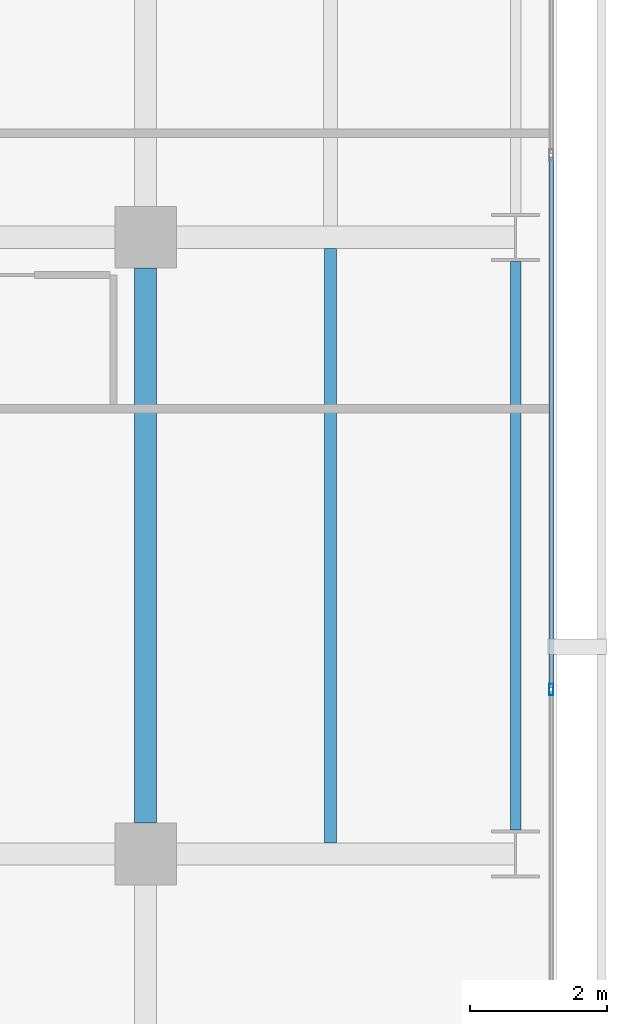
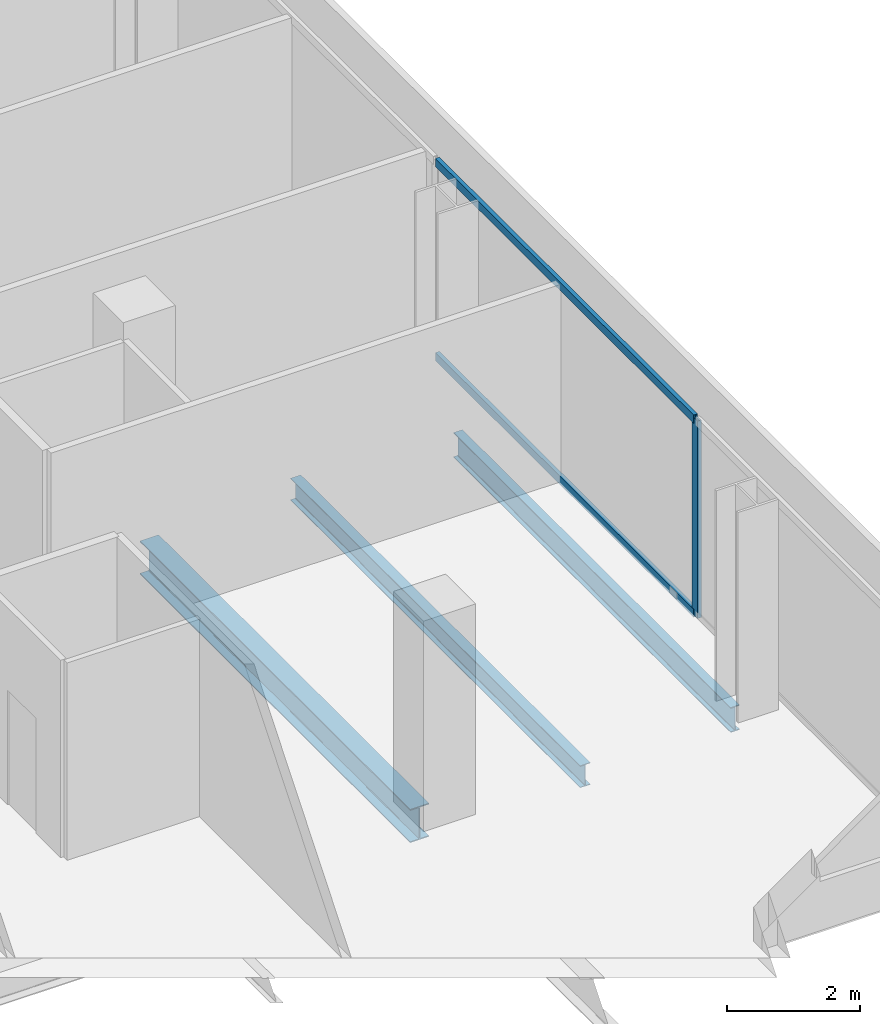
# One storey, part 17 of 40: 3 beams, 3 members, 1 element without a shape of its own.
"""IFC4 building model written with IfcOpenShell, lengths in metres."""

from ifc_helpers import new_model, si_unit, direction, frame, origin, origin_2d, place, context, subcontext, project, spatial, hollow_rectangle, i_section, extrude, material, layer, layer_set, material_profile, profile_set, type_object, element, aggregate, save


model = new_model("IFC4")

# Units and contexts
model_context = context("Model", 3, precision=1e-05, world=origin(), true_north=direction((0.0, 1.0)))
body_context = subcontext(model_context, "Body", "Model", "MODEL_VIEW")
ifc_project = project(units=[si_unit("LENGTHUNIT", "METRE"), si_unit("AREAUNIT", "SQUARE_METRE"), si_unit("VOLUMEUNIT", "CUBIC_METRE"), si_unit("PLANEANGLEUNIT", "RADIAN"), si_unit("MASSUNIT", "GRAM", prefix="KILO")], contexts=[model_context])

# Site, building, storey
site_placement = place(None, origin())
site = spatial("IfcSite", under=ifc_project, at=site_placement, CompositionType="ELEMENT")
building_placement = place(site_placement, origin())
building = spatial("IfcBuilding", under=site, at=building_placement, Name="Maruvema Waterfront Hotel and Observation Tower", CompositionType="ELEMENT")
storey_placement = place(building_placement, frame((0.0, 0.0, 80.85009765625)))
storey = spatial("IfcBuildingStorey", under=building, at=storey_placement, Name="L19", CompositionType="ELEMENT", Elevation=80.85009765625)

# Curtain wall, members
ifc_material_1 = material(Name="Anodised bronze aluminium and solar-control low-E IGU", Category="aluminium")
ifc_layer = layer(ifc_material_1, 0.159912109375, Name="Zone 1 Bronze Inner Thermal Curtain Wall System CW-02")
ifc_layer_set = layer_set([ifc_layer], Name="Anodised bronze aluminium and solar-control low-E IGU")
curtain_wall_type = type_object("IfcCurtainWallType", Name="Zone 1 Bronze Inner Thermal Curtain Wall System CW-02", PredefinedType="USERDEFINED", material=ifc_layer_set)
curtain_wall_placement = place(storey_placement, origin())
curtain_wall = element("IfcCurtainWall", 1, at=curtain_wall_placement, inside=storey, type_object=curtain_wall_type, Name="L19 Curtain Wall CW-L19-E", ObjectType="UNITISED CURTAIN WALL", PredefinedType="USERDEFINED")
ifc_material_2 = material(Name="Anodised architectural bronze aluminium", Category="aluminium")
ifc_material_profile_1 = material_profile(ifc_material_2, hollow_rectangle(XDim=0.070068359375, YDim=0.14990234375, WallThickness=0.00390625, at=origin_2d()), Name="ALU-T70x150")
ifc_profile_set_1 = profile_set([ifc_material_profile_1], Name="Anodised architectural bronze aluminium")
member_type_1 = type_object("IfcMemberType", Name="Curtain Wall Horizontal Transom ALU-T70x150", PredefinedType="USERDEFINED", material=ifc_profile_set_1)
member_1_placement = place(storey_placement, frame((64.719970703125, 11.429931640625, 0.02978515625), z_axis=(0.0, 1.0, 0.0), x_axis=(-1.0, 0.0, 0.0)))
member_1 = element("IfcMember", 2, at=member_1_placement, type_object=member_type_1, Name="CW-02 transom 2.1", ObjectType="TRANSOM", PredefinedType="USERDEFINED", context=body_context, shape_type="SweptSolid", body=[
    extrude(hollow_rectangle(XDim=0.070068359375, YDim=0.14990234375, WallThickness=0.00390625, at=origin_2d()), origin(), (0.0, 0.0, 1.0), 7.739990234375),
])
member_2_placement = place(storey_placement, frame((64.719970703125, 11.429931640625, 3.579833984375), z_axis=(0.0, 1.0, 0.0), x_axis=(-1.0, 0.0, 0.0)))
member_2 = element("IfcMember", 3, at=member_2_placement, type_object=member_type_1, Name="CW-02 transom 2.2", ObjectType="TRANSOM", PredefinedType="USERDEFINED", context=body_context, shape_type="SweptSolid", body=[
    extrude(hollow_rectangle(XDim=0.070068359375, YDim=0.14990234375, WallThickness=0.00390625, at=origin_2d()), origin(), (0.0, 0.0, 1.0), 7.739990234375),
])
ifc_material_3 = material(Name="Anodised architectural bronze aluminium", Category="aluminium")
ifc_material_profile_2 = material_profile(ifc_material_3, hollow_rectangle(XDim=0.06494140625, YDim=0.1650390625, WallThickness=0.00390625, at=origin_2d()), Name="ALU-M65x165")
ifc_profile_set_2 = profile_set([ifc_material_profile_2], Name="Anodised architectural bronze aluminium")
member_type_2 = type_object("IfcMemberType", Name="Curtain Wall Primary Mullion ALU-M65x165", PredefinedType="MULLION", material=ifc_profile_set_2)
member_3_placement = place(storey_placement, frame((64.719970703125, 11.39990234375, 0.0), z_axis=(0.0, 0.0, 1.0), x_axis=(-1.0, 0.0, 0.0)))
member_3 = element("IfcMember", 4, at=member_3_placement, type_object=member_type_2, Name="CW-02 mullion 2", PredefinedType="MULLION", context=body_context, shape_type="SweptSolid", body=[
    extrude(hollow_rectangle(XDim=0.06494140625, YDim=0.1650390625, WallThickness=0.00390625, at=origin_2d()), origin(), (0.0, 0.0, 1.0), 3.60986328125),
])
aggregate(curtain_wall, [member_3, member_1, member_2])

# Beams
ifc_material_4 = material(Name="Steel ASTM A572 Grade 50", Category="steel")
ifc_material_profile_3 = material_profile(ifc_material_4, i_section(OverallWidth=0.153076171875, OverallDepth=0.455078125, WebThickness=0.008056640625, FlangeThickness=0.01318359375, FilletRadius=0.014892578125, at=origin_2d()), Name="W460x60.0")
ifc_profile_set_3 = profile_set([ifc_material_profile_3], Name="Steel ASTM A572 Grade 50")
beam_type_1 = type_object("IfcBeamType", Name="Perimeter Spandrel Beam W460x60.0", PredefinedType="SPANDREL", material=ifc_profile_set_3)
beam_1_placement = place(storey_placement, frame((64.199951171875, 9.35009765625, -0.467529296875), z_axis=(0.0, 1.0, 0.0), x_axis=(-1.0, 0.0, 0.0)))
element("IfcBeam", 5, at=beam_1_placement, inside=storey, type_object=beam_type_1, Name="L19 Floor Girder NS-33", PredefinedType="SPANDREL", context=body_context, shape_type="SweptSolid", body=[
    extrude(i_section(OverallWidth=0.153076171875, OverallDepth=0.455078125, WebThickness=0.008056640625, FlangeThickness=0.01318359375, FilletRadius=0.014892578125, at=origin_2d()), origin(), (0.0, 0.0, 1.0), 8.2998046875),
])
ifc_material_5 = material(Name="Steel ASTM A572 Grade 50", Category="steel")
ifc_material_profile_4 = material_profile(ifc_material_5, i_section(OverallWidth=0.323974609375, OverallDepth=0.611083984375, WebThickness=0.0126953125, FlangeThickness=0.01904296875, FilletRadius=0.01806640625, at=origin_2d()), Name="W610x155.0")
ifc_profile_set_4 = profile_set([ifc_material_profile_4], Name="Steel ASTM A572 Grade 50")
beam_type_2 = type_object("IfcBeamType", Name="Primary Floor Girder W610x155.0", PredefinedType="BEAM", material=ifc_profile_set_4)
beam_2_placement = place(storey_placement, frame((58.800048828125, 9.449951171875, -0.545654296875), z_axis=(0.0, 1.0, 0.0), x_axis=(-1.0, 0.0, 0.0)))
element("IfcBeam", 6, at=beam_2_placement, inside=storey, type_object=beam_type_2, Name="L19 Floor Girder NS-28", PredefinedType="BEAM", context=body_context, shape_type="SweptSolid", body=[
    extrude(i_section(OverallWidth=0.323974609375, OverallDepth=0.611083984375, WebThickness=0.0126953125, FlangeThickness=0.01904296875, FilletRadius=0.01806640625, at=origin_2d()), origin(), (0.0, 0.0, 1.0), 8.10009765625),
])
ifc_material_6 = material(Name="Steel ASTM A572 Grade 50", Category="steel")
ifc_material_profile_5 = material_profile(ifc_material_6, i_section(OverallWidth=0.177001953125, OverallDepth=0.403076171875, WebThickness=0.007568359375, FlangeThickness=0.010986328125, FilletRadius=0.014892578125, at=origin_2d()), Name="W410x53.0")
ifc_profile_set_5 = profile_set([ifc_material_profile_5], Name="Steel ASTM A572 Grade 50")
beam_type_3 = type_object("IfcBeamType", Name="Secondary Floor Joist W410x53.0", PredefinedType="JOIST", material=ifc_profile_set_5)
beam_3_placement = place(storey_placement, frame((61.5, 9.162109375, -0.441650390625), z_axis=(0.0, 1.0, 0.0), x_axis=(-1.0, 0.0, 0.0)))
element("IfcBeam", 7, at=beam_3_placement, inside=storey, type_object=beam_type_3, Name="L19 Secondary Floor Joist JS-21", PredefinedType="JOIST", context=body_context, shape_type="SweptSolid", body=[
    extrude(i_section(OverallWidth=0.177001953125, OverallDepth=0.403076171875, WebThickness=0.007568359375, FlangeThickness=0.010986328125, FilletRadius=0.014892578125, at=origin_2d()), origin(), (0.0, 0.0, 1.0), 8.67578125),
])

save(model, "model.ifc")
